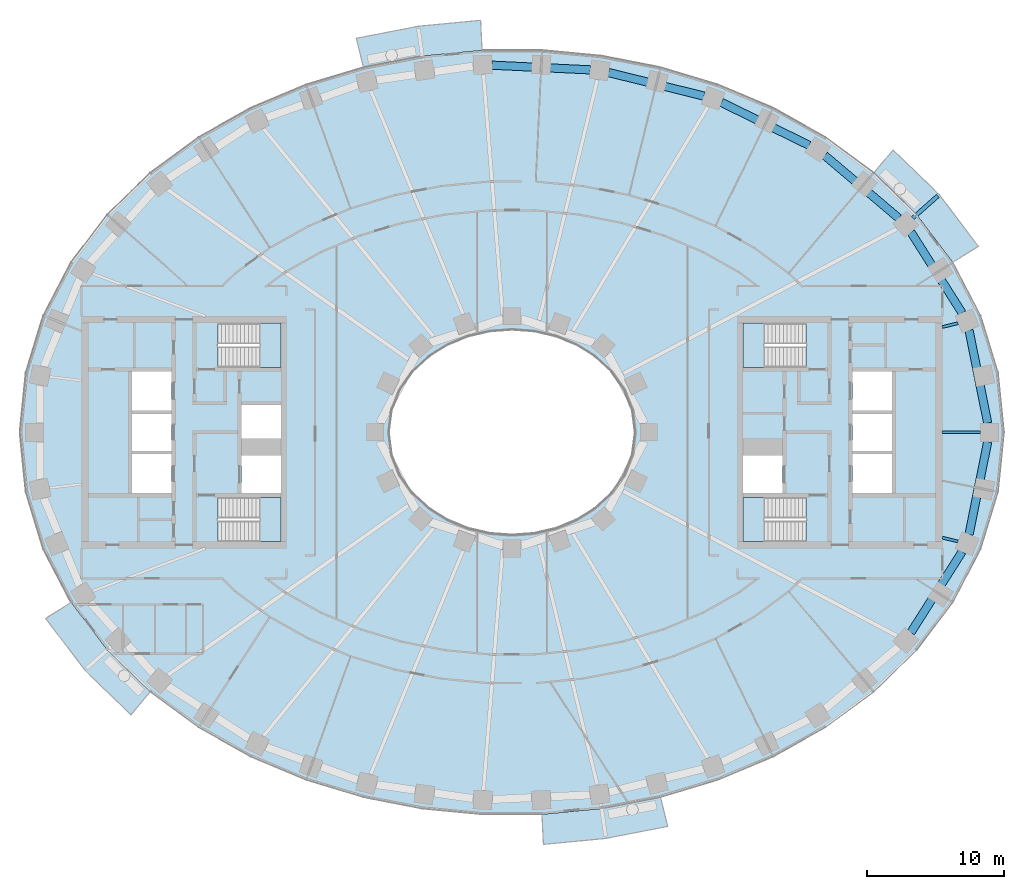
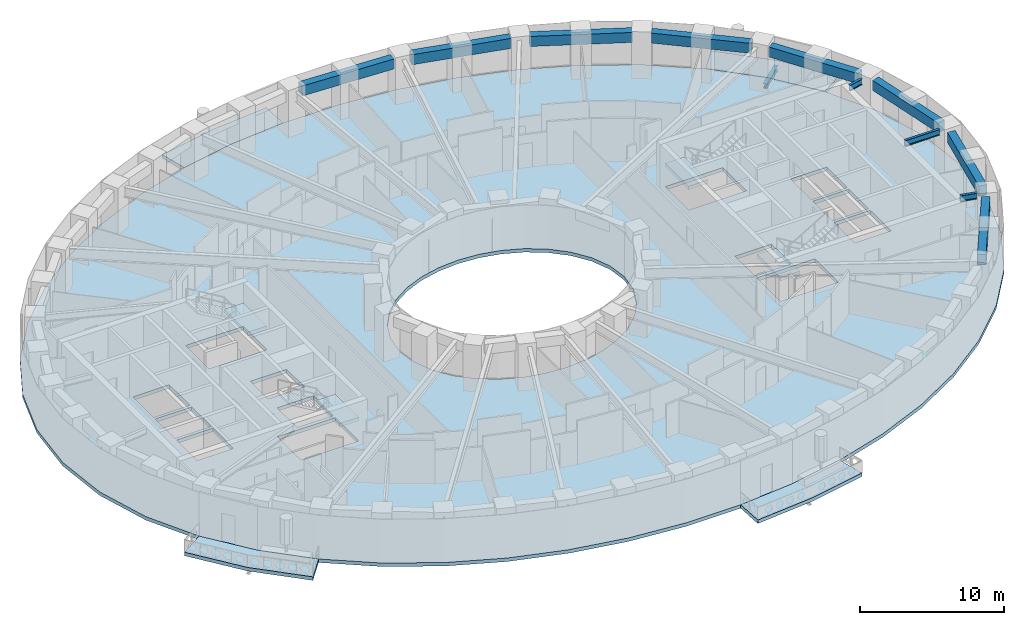
# One storey, part 2 of 16: 12 beams, 9 slabs, 4 elements without a shape of their own.
"""IFC4 building model written with IfcOpenShell, lengths in metres."""

from ifc_helpers import new_model, si_unit, direction, frame, origin, origin_2d, place, context, subcontext, project, spatial, polyline, rectangle, i_section, outline, extrude, material, layer, layer_set, material_profile, profile_set, type_object, element, aggregate, save


model = new_model("IFC4")

# Units and contexts
model_context = context("Model", 3, precision=1e-05, world=origin(), true_north=direction((0.0, 1.0)))
body_context = subcontext(model_context, "Body", "Model", "MODEL_VIEW")
ifc_project = project(units=[si_unit("LENGTHUNIT", "METRE"), si_unit("AREAUNIT", "SQUARE_METRE"), si_unit("VOLUMEUNIT", "CUBIC_METRE"), si_unit("PLANEANGLEUNIT", "RADIAN"), si_unit("MASSUNIT", "GRAM", prefix="KILO")], contexts=[model_context])

# Site, building, storey
site_placement = place(None, origin())
site = spatial("IfcSite", under=ifc_project, at=site_placement, CompositionType="ELEMENT")
building_placement = place(site_placement, origin())
building = spatial("IfcBuilding", under=site, at=building_placement, Name="Noorbagh Ring Tower", CompositionType="ELEMENT")
storey_placement = place(building_placement, frame((0.0, 0.0, 66.5)))
storey = spatial("IfcBuildingStorey", under=building, at=storey_placement, Name="L14", CompositionType="ELEMENT", Elevation=66.5)

# Beams
ifc_material_1 = material(Name="Steel S355", Category="steel")
ifc_material_profile_1 = material_profile(ifc_material_1, i_section(OverallWidth=0.300048828125, OverallDepth=0.39990234375, WebThickness=0.013427734375, FlangeThickness=0.02392578125, FilletRadius=0.027099609375, at=origin_2d()), Name="HEB400")
ifc_profile_set_1 = profile_set([ifc_material_profile_1], Name="Steel S355")
beam_type_1 = type_object("IfcBeamType", Name="STR-BALCONY-BRACKET-HEB400", PredefinedType="BEAM", material=ifc_profile_set_1)
beam_1_placement = place(storey_placement, frame((29.328125, 15.680908203125, -0.5), z_axis=(0.74904259367, 0.662521843314, 0.0), x_axis=(-0.662521843314, 0.74904259367, 0.0)))
element("IfcBeam", 1, at=beam_1_placement, inside=storey, type_object=beam_type_1, Name="Balcony bracket beam BN01", PredefinedType="BEAM", context=body_context, shape_type="SweptSolid", body=[
    extrude(i_section(OverallWidth=0.300048828125, OverallDepth=0.39990234375, WebThickness=0.013427734375, FlangeThickness=0.02392578125, FilletRadius=0.027099609375, at=origin_2d()), origin(), (0.0, 0.0, 1.0), 2.429443359375),
])
ifc_material_2 = material(Name="Steel S355", Category="steel")
ifc_material_profile_2 = material_profile(ifc_material_2, i_section(OverallWidth=0.199951171875, OverallDepth=0.5, WebThickness=0.01025390625, FlangeThickness=0.01611328125, FilletRadius=0.02099609375, at=origin_2d()), Name="IPE500")
ifc_profile_set_2 = profile_set([ifc_material_profile_2], Name="Steel S355")
beam_type_2 = type_object("IfcBeamType", Name="STR-RAD-IPE500", PredefinedType="BEAM", material=ifc_profile_set_2)
beam_2_placement = place(storey_placement, frame((34.2646484375, 0.0, 3.449951171875), z_axis=(-1.0, 0.0, 0.0), x_axis=(0.0, -1.0, 0.0)))
element("IfcBeam", 2, at=beam_2_placement, inside=storey, type_object=beam_type_2, Name="L14/bm/RD01", PredefinedType="BEAM", context=body_context, shape_type="SweptSolid", body=[
    extrude(i_section(OverallWidth=0.199951171875, OverallDepth=0.5, WebThickness=0.01025390625, FlangeThickness=0.01611328125, FilletRadius=0.02099609375, at=origin_2d()), origin(), (0.0, 0.0, 1.0), 2.78466796875),
])
for number, where, z_axis, x_axis, name in (
    (3, (32.636962890625, 7.98583984375, 3.449951171875), (-0.971348532858, -0.237659478485, 0.0), (0.237659478485, -0.971348532858, 0.0), "L14/bm/RD03"),
    (4, (32.636962890625, -7.98583984375, 3.449951171875), (-0.971348532858, 0.237659478485, 0.0), (-0.237659478485, -0.971348532858, 0.0), "L14/bm/RD45"),
):
    element("IfcBeam", number, at=place(storey_placement, frame(where, z_axis=z_axis, x_axis=x_axis)), inside=storey, type_object=beam_type_2, Name=name, PredefinedType="BEAM", context=body_context, shape_type="SweptSolid", body=[
        extrude(i_section(OverallWidth=0.199951171875, OverallDepth=0.5, WebThickness=0.01025390625, FlangeThickness=0.01611328125, FilletRadius=0.02099609375, at=origin_2d()), origin(), (0.0, 0.0, 1.0), 1.190673828125),
    ])
ifc_material_3 = material(Name="Concrete C40/50", Category="concrete")
ifc_material_profile_3 = material_profile(ifc_material_3, rectangle(XDim=0.60009765625, YDim=0.85009765625, at=origin_2d()), Name="RC600x850")
ifc_profile_set_3 = profile_set([ifc_material_profile_3], Name="Concrete C40/50")
beam_type_3 = type_object("IfcBeamType", Name="STR-SB-RC600x850-C40-50", PredefinedType="BEAM", material=ifc_profile_set_3)
beam_3_placement = place(storey_placement, frame((34.807861328125, 0.680419921875, 3.27490234375), z_axis=(-0.197227762478, 0.980357694777, 0.0), x_axis=(-0.980357694777, -0.197227762478, 0.0)))
element("IfcBeam", 5, at=beam_3_placement, inside=storey, type_object=beam_type_3, Name="L14/bm/SP01", PredefinedType="BEAM", context=body_context, shape_type="SweptSolid", body=[
    extrude(rectangle(XDim=0.60009765625, YDim=0.85009765625, at=origin_2d()), origin(), (0.0, 0.0, 1.0), 6.92578125),
])
beam_4_placement = place(storey_placement, frame((32.935302734375, 8.733154296875, 3.27490234375), z_axis=(-0.535200543046, 0.844725031429, 0.0), x_axis=(-0.844725031429, -0.535200543046, 0.0)))
element("IfcBeam", 6, at=beam_4_placement, inside=storey, type_object=beam_type_3, Name="L14/bm/SP03", PredefinedType="BEAM", context=body_context, shape_type="SweptSolid", body=[
    extrude(rectangle(XDim=0.60009765625, YDim=0.85009765625, at=origin_2d()), origin(), (0.0, 0.0, 1.0), 7.002685546875),
])
beam_5_placement = place(storey_placement, frame((28.29443359375, 15.6748046875, 3.27490234375), z_axis=(-0.763038677853, 0.646352826327, 0.0), x_axis=(-0.646352826327, -0.763038677853, 0.0)))
element("IfcBeam", 7, at=beam_5_placement, inside=storey, type_object=beam_type_3, Name="L14/bm/SP05", PredefinedType="BEAM", context=body_context, shape_type="SweptSolid", body=[
    extrude(rectangle(XDim=0.60009765625, YDim=0.85009765625, at=origin_2d()), origin(), (0.0, 0.0, 1.0), 7.088623046875),
])
beam_6_placement = place(storey_placement, frame((21.746826171875, 21.000732421875, 3.27490234375), z_axis=(-0.898400530475, 0.43917705637, 0.0), x_axis=(-0.43917705637, -0.898400530475, 0.0)))
element("IfcBeam", 8, at=beam_6_placement, inside=storey, type_object=beam_type_3, Name="L14/bm/SP07", PredefinedType="BEAM", context=body_context, shape_type="SweptSolid", body=[
    extrude(rectangle(XDim=0.60009765625, YDim=0.85009765625, at=origin_2d()), origin(), (0.0, 0.0, 1.0), 7.14892578125),
])
beam_7_placement = place(storey_placement, frame((14.045654296875, 24.604736328125, 3.27490234375), z_axis=(-0.970828401591, 0.239775342069, 0.0), x_axis=(-0.239775342069, -0.970828401591, 0.0)))
element("IfcBeam", 9, at=beam_7_placement, inside=storey, type_object=beam_type_3, Name="L14/bm/SP09", PredefinedType="BEAM", context=body_context, shape_type="SweptSolid", body=[
    extrude(rectangle(XDim=0.60009765625, YDim=0.85009765625, at=origin_2d()), origin(), (0.0, 0.0, 1.0), 7.182373046875),
])
beam_8_placement = place(storey_placement, frame((5.726806640625, 26.5234375, 3.27490234375), z_axis=(-0.998869595741, 0.047534521183, 0.0), x_axis=(-0.047534521183, -0.998869595741, 0.0)))
element("IfcBeam", 10, at=beam_8_placement, inside=storey, type_object=beam_type_3, Name="L14/bm/SP11", PredefinedType="BEAM", context=body_context, shape_type="SweptSolid", body=[
    extrude(rectangle(XDim=0.60009765625, YDim=0.85009765625, at=origin_2d()), origin(), (0.0, 0.0, 1.0), 7.195556640625),
])
beam_9_placement = place(storey_placement, frame((29.1875, -14.6484375, 3.27490234375), z_axis=(0.535200543046, 0.844725031429, 0.0), x_axis=(-0.844725031429, 0.535200543046, 0.0)))
element("IfcBeam", 11, at=beam_9_placement, inside=storey, type_object=beam_type_3, Name="L14/bm/SP43", PredefinedType="BEAM", context=body_context, shape_type="SweptSolid", body=[
    extrude(rectangle(XDim=0.60009765625, YDim=0.85009765625, at=origin_2d()), origin(), (0.0, 0.0, 1.0), 7.002685546875),
])
beam_10_placement = place(storey_placement, frame((33.44189453125, -7.47021484375, 3.27490234375), z_axis=(0.197227762478, 0.980357694777, 0.0), x_axis=(-0.980357694777, 0.197227762478, 0.0)))
element("IfcBeam", 12, at=beam_10_placement, inside=storey, type_object=beam_type_3, Name="L14/bm/SP45", PredefinedType="BEAM", context=body_context, shape_type="SweptSolid", body=[
    extrude(rectangle(XDim=0.60009765625, YDim=0.85009765625, at=origin_2d()), origin(), (0.0, 0.0, 1.0), 6.92578125),
])

# Stair, slab
ifc_material_4 = material(Name="Concrete C40/50", Category="concrete")
stair_type = type_object("IfcStairType", Name="CORE-STAIR", PredefinedType="HALF_TURN_STAIR", material=ifc_material_4)
stair_1_placement = place(storey_placement, origin())
stair_1 = element("IfcStair", 13, at=stair_1_placement, inside=storey, type_object=stair_type, Name="L14 Exit stair ST1", PredefinedType="HALF_TURN_STAIR")
ifc_material_5 = material(Name="Concrete C40/50", Category="concrete")
ifc_layer_1 = layer(ifc_material_5, 0.300048828125)
ifc_layer_set_1 = layer_set([ifc_layer_1], Name="Concrete C40/50")
slab_type_1 = type_object("IfcSlabType", Name="CORE-STAIR-LANDING", PredefinedType="LANDING", material=ifc_layer_set_1)
slab_1_placement = place(storey_placement, frame((0.0, 0.0, 1.699951171875)))
slab_1 = element("IfcSlab", 14, at=slab_1_placement, type_object=slab_type_1, Name="ST1 landing 1", PredefinedType="LANDING", context=body_context, shape_type="SweptSolid", body=[
    extrude(outline(polyline([(-18.449951171875, 4.75), (-16.89990234375, 4.75), (-16.89990234375, 8.0), (-18.449951171875, 8.0), (-18.449951171875, 4.75)])), origin(), (0.0, 0.0, 1.0), 0.300048828125),
])
aggregate(stair_1, [slab_1])

stair_2_placement = place(storey_placement, origin())
stair_2 = element("IfcStair", 15, at=stair_2_placement, inside=storey, type_object=stair_type, Name="L14 Exit stair ST2", PredefinedType="HALF_TURN_STAIR")
slab_2_placement = place(storey_placement, frame((0.0, 0.0, 1.699951171875)))
slab_2 = element("IfcSlab", 16, at=slab_2_placement, type_object=slab_type_1, Name="ST2 landing 1", PredefinedType="LANDING", context=body_context, shape_type="SweptSolid", body=[
    extrude(outline(polyline([(-18.449951171875, -8.0), (-16.89990234375, -8.0), (-16.89990234375, -4.75), (-18.449951171875, -4.75), (-18.449951171875, -8.0)])), origin(), (0.0, 0.0, 1.0), 0.300048828125),
])
aggregate(stair_2, [slab_2])

stair_3_placement = place(storey_placement, origin())
stair_3 = element("IfcStair", 17, at=stair_3_placement, inside=storey, type_object=stair_type, Name="L14 Exit stair ST3", PredefinedType="HALF_TURN_STAIR")
slab_3_placement = place(storey_placement, frame((0.0, 0.0, 1.699951171875)))
slab_3 = element("IfcSlab", 18, at=slab_3_placement, type_object=slab_type_1, Name="ST3 landing 1", PredefinedType="LANDING", context=body_context, shape_type="SweptSolid", body=[
    extrude(outline(polyline([(18.449951171875, 8.0), (16.89990234375, 8.0), (16.89990234375, 4.75), (18.449951171875, 4.75), (18.449951171875, 8.0)])), origin(), (0.0, 0.0, 1.0), 0.300048828125),
])
aggregate(stair_3, [slab_3])

stair_4_placement = place(storey_placement, origin())
stair_4 = element("IfcStair", 19, at=stair_4_placement, inside=storey, type_object=stair_type, Name="L14 Exit stair ST4", PredefinedType="HALF_TURN_STAIR")
slab_4_placement = place(storey_placement, frame((0.0, 0.0, 1.699951171875)))
slab_4 = element("IfcSlab", 20, at=slab_4_placement, type_object=slab_type_1, Name="ST4 landing 1", PredefinedType="LANDING", context=body_context, shape_type="SweptSolid", body=[
    extrude(outline(polyline([(18.449951171875, -4.75), (16.89990234375, -4.75), (16.89990234375, -8.0), (18.449951171875, -8.0), (18.449951171875, -4.75)])), origin(), (0.0, 0.0, 1.0), 0.300048828125),
])
aggregate(stair_4, [slab_4])

# Slabs
ifc_material_6 = material(Name="Concrete C40/50", Category="concrete")
ifc_layer_2 = layer(ifc_material_6, 0.300048828125)
ifc_layer_set_2 = layer_set([ifc_layer_2], Name="Concrete C40/50")
slab_type_2 = type_object("IfcSlabType", Name="ENV-BALCONY DECK 300", PredefinedType="FLOOR", material=ifc_layer_set_2)
slab_5_placement = place(storey_placement, frame((0.0, 0.0, -0.300048828125)))
element("IfcSlab", 21, at=slab_5_placement, inside=storey, type_object=slab_type_2, Name="Tree balcony deck BN01", PredefinedType="FLOOR", context=body_context, shape_type="SweptSolid", body=[
    extrude(outline(polyline([(34.120361328125, 13.615966796875), (31.26025390625, 17.389892578125), (27.888671875, 20.665771484375), (26.463134765625, 18.983154296875), (29.607666015625, 15.92822265625), (32.255126953125, 12.434814453125), (34.120361328125, 13.615966796875)])), origin(), (0.0, 0.0, 1.0), 0.300048828125),
])
slab_6_placement = place(storey_placement, frame((0.0, 0.0, -0.300048828125)))
element("IfcSlab", 22, at=slab_6_placement, inside=storey, type_object=slab_type_2, Name="Tree balcony deck BN04", PredefinedType="FLOOR", context=body_context, shape_type="SweptSolid", body=[
    extrude(outline(polyline([(-2.2978515625, 30.14794921875), (-6.874755859375, 29.711181640625), (-11.3935546875, 28.832763671875), (-10.865234375, 26.6943359375), (-6.5595703125, 27.53125), (-2.193115234375, 27.947998046875), (-2.2978515625, 30.14794921875)])), origin(), (0.0, 0.0, 1.0), 0.300048828125),
])
slab_7_placement = place(storey_placement, frame((0.0, 0.0, -0.300048828125)))
element("IfcSlab", 23, at=slab_7_placement, inside=storey, type_object=slab_type_2, Name="Tree balcony deck BS01", PredefinedType="FLOOR", context=body_context, shape_type="SweptSolid", body=[
    extrude(outline(polyline([(-34.120361328125, -13.615966796875), (-31.26025390625, -17.389892578125), (-27.888671875, -20.665771484375), (-26.463134765625, -18.983154296875), (-29.607666015625, -15.92822265625), (-32.255126953125, -12.434814453125), (-34.120361328125, -13.615966796875)])), origin(), (0.0, 0.0, 1.0), 0.300048828125),
])
slab_8_placement = place(storey_placement, frame((0.0, 0.0, -0.300048828125)))
element("IfcSlab", 24, at=slab_8_placement, inside=storey, type_object=slab_type_2, Name="Tree balcony deck BS04", PredefinedType="FLOOR", context=body_context, shape_type="SweptSolid", body=[
    extrude(outline(polyline([(2.2978515625, -30.14794921875), (6.874755859375, -29.711181640625), (11.3935546875, -28.832763671875), (10.865234375, -26.6943359375), (6.5595703125, -27.53125), (2.193115234375, -27.947998046875), (2.2978515625, -30.14794921875)])), origin(), (0.0, 0.0, 1.0), 0.300048828125),
])
ifc_material_7 = material(Name="Concrete C40/50", Category="concrete")
ifc_layer_3 = layer(ifc_material_7, 0.300048828125)
ifc_layer_set_3 = layer_set([ifc_layer_3], Name="Concrete C40/50")
slab_type_3 = type_object("IfcSlabType", Name="STR-FLOOR-DECK-300", PredefinedType="FLOOR", material=ifc_layer_set_3)
slab_9_placement = place(storey_placement, frame((0.0, 0.0, -0.300048828125)))
element("IfcSlab", 25, at=slab_9_placement, inside=storey, type_object=slab_type_3, Name="L14/slab/1", PredefinedType="FLOOR", context=body_context, shape_type="SweptSolid", body=[
    extrude(outline(polyline([(36.0, 0.0), (35.56103515625, 4.358642578125), (34.281005859375, 8.548828125), (32.255126953125, 12.434814453125), (29.607666015625, 15.92822265625), (26.463134765625, 18.983154296875), (22.9326171875, 21.583740234375), (19.108154296875, 23.730224609375), (15.0654296875, 25.430419921875), (10.865234375, 26.6943359375), (6.5595703125, 27.53125), (2.193115234375, 27.947998046875), (-2.193115234375, 27.947998046875), (-6.5595703125, 27.53125), (-10.865234375, 26.6943359375), (-15.0654296875, 25.430419921875), (-19.108154296875, 23.730224609375), (-22.9326171875, 21.583740234375), (-26.463134765625, 18.983154296875), (-29.607666015625, 15.92822265625), (-32.255126953125, 12.434814453125), (-34.281005859375, 8.548828125), (-35.56103515625, 4.358642578125), (-36.0, 0.0), (-35.56103515625, -4.358642578125), (-34.281005859375, -8.548828125), (-32.255126953125, -12.434814453125), (-29.607666015625, -15.92822265625), (-26.463134765625, -18.983154296875), (-22.9326171875, -21.583740234375), (-19.108154296875, -23.730224609375), (-15.0654296875, -25.430419921875), (-10.865234375, -26.6943359375), (-6.5595703125, -27.53125), (-2.193115234375, -27.947998046875), (2.193115234375, -27.947998046875), (6.5595703125, -27.53125), (10.865234375, -26.6943359375), (15.0654296875, -25.430419921875), (19.108154296875, -23.730224609375), (22.9326171875, -21.583740234375), (26.463134765625, -18.983154296875), (29.607666015625, -15.92822265625), (32.255126953125, -12.434814453125), (34.281005859375, -8.548828125), (35.56103515625, -4.358642578125), (36.0, 0.0)]), holes=[polyline([(24.89990234375, -1.60009765625), (27.800048828125, -1.60009765625), (27.800048828125, -4.449951171875), (24.89990234375, -4.449951171875), (24.89990234375, -1.60009765625)]), polyline([(24.89990234375, 1.35009765625), (27.800048828125, 1.35009765625), (27.800048828125, -1.35009765625), (24.89990234375, -1.35009765625), (24.89990234375, 1.35009765625)]), polyline([(24.89990234375, 4.449951171875), (27.800048828125, 4.449951171875), (27.800048828125, 1.60009765625), (24.89990234375, 1.60009765625), (24.89990234375, 4.449951171875)]), polyline([(21.529541015625, -4.75), (21.529541015625, -8.0), (16.89990234375, -8.0), (16.89990234375, -4.75), (21.529541015625, -4.75)]), polyline([(21.529541015625, 4.75), (16.89990234375, 4.75), (16.89990234375, 8.0), (21.529541015625, 8.0), (21.529541015625, 4.75)]), polyline([(16.89990234375, -1.699951171875), (19.800048828125, -1.699951171875), (19.800048828125, -4.449951171875), (16.89990234375, -4.449951171875), (16.89990234375, -1.699951171875)]), polyline([(4.697509765625, -6.3974609375), (3.196533203125, -7.010986328125), (1.6171875, -7.3779296875), (0.0, -7.5), (-1.6171875, -7.3779296875), (-3.196533203125, -7.010986328125), (-4.697509765625, -6.3974609375), (-6.071044921875, -5.53662109375), (-7.2587890625, -4.43408203125), (-8.1904296875, -3.10888671875), (-8.79150390625, -1.605224609375), (-9.0, 0.0), (-8.79150390625, 1.605224609375), (-8.1904296875, 3.10888671875), (-7.2587890625, 4.43408203125), (-6.071044921875, 5.53662109375), (-4.697509765625, 6.3974609375), (-3.196533203125, 7.010986328125), (-1.6171875, 7.3779296875), (0.0, 7.5), (1.6171875, 7.3779296875), (3.196533203125, 7.010986328125), (4.697509765625, 6.3974609375), (6.071044921875, 5.53662109375), (7.2587890625, 4.43408203125), (8.1904296875, 3.10888671875), (8.79150390625, 1.605224609375), (9.0, 0.0), (8.79150390625, -1.605224609375), (8.1904296875, -3.10888671875), (7.2587890625, -4.43408203125), (6.071044921875, -5.53662109375), (4.697509765625, -6.3974609375)]), polyline([(-21.529541015625, -8.0), (-21.529541015625, -4.75), (-16.89990234375, -4.75), (-16.89990234375, -8.0), (-21.529541015625, -8.0)]), polyline([(-21.529541015625, 8.0), (-16.89990234375, 8.0), (-16.89990234375, 4.75), (-21.529541015625, 4.75), (-21.529541015625, 8.0)]), polyline([(-16.89990234375, -4.449951171875), (-19.800048828125, -4.449951171875), (-19.800048828125, -1.699951171875), (-16.89990234375, -1.699951171875), (-16.89990234375, -4.449951171875)]), polyline([(-16.89990234375, -0.449951171875), (-19.800048828125, -0.449951171875), (-19.800048828125, 2.0), (-16.89990234375, 2.0), (-16.89990234375, -0.449951171875)]), polyline([(-24.89990234375, -4.449951171875), (-27.800048828125, -4.449951171875), (-27.800048828125, -1.60009765625), (-24.89990234375, -1.60009765625), (-24.89990234375, -4.449951171875)]), polyline([(-24.89990234375, -1.35009765625), (-27.800048828125, -1.35009765625), (-27.800048828125, 1.35009765625), (-24.89990234375, 1.35009765625), (-24.89990234375, -1.35009765625)]), polyline([(-24.89990234375, 1.60009765625), (-27.800048828125, 1.60009765625), (-27.800048828125, 4.449951171875), (-24.89990234375, 4.449951171875), (-24.89990234375, 1.60009765625)])]), origin(), (0.0, 0.0, 1.0), 0.300048828125),
])

save(model, "model.ifc")
